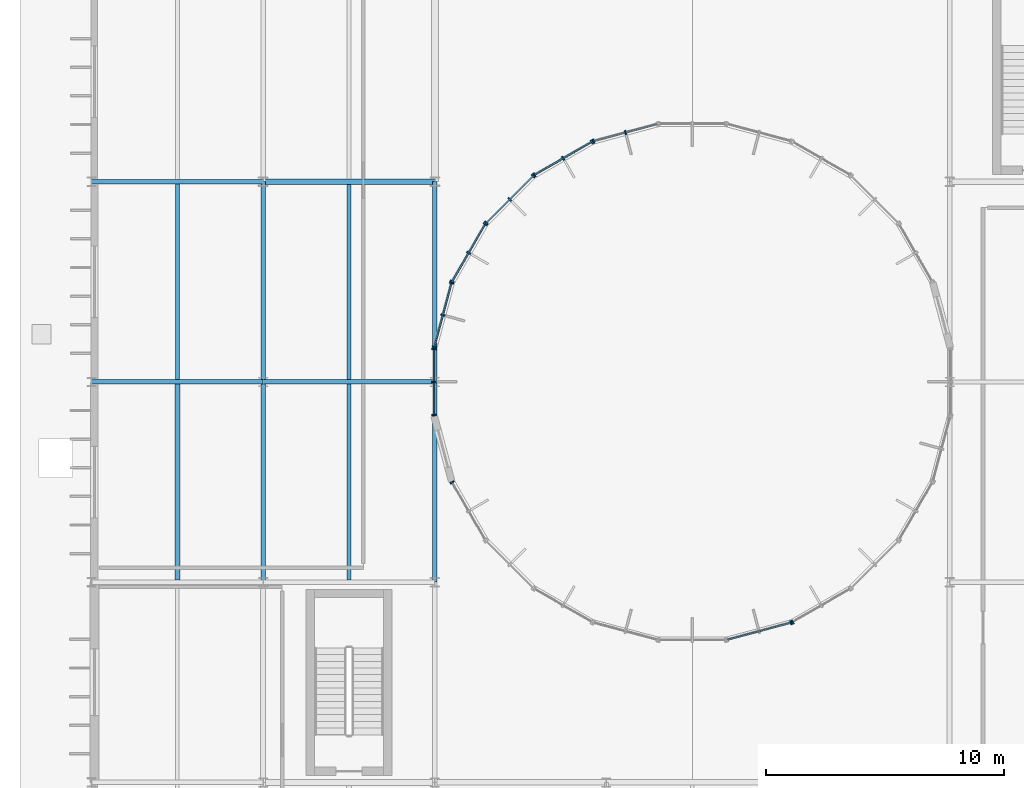
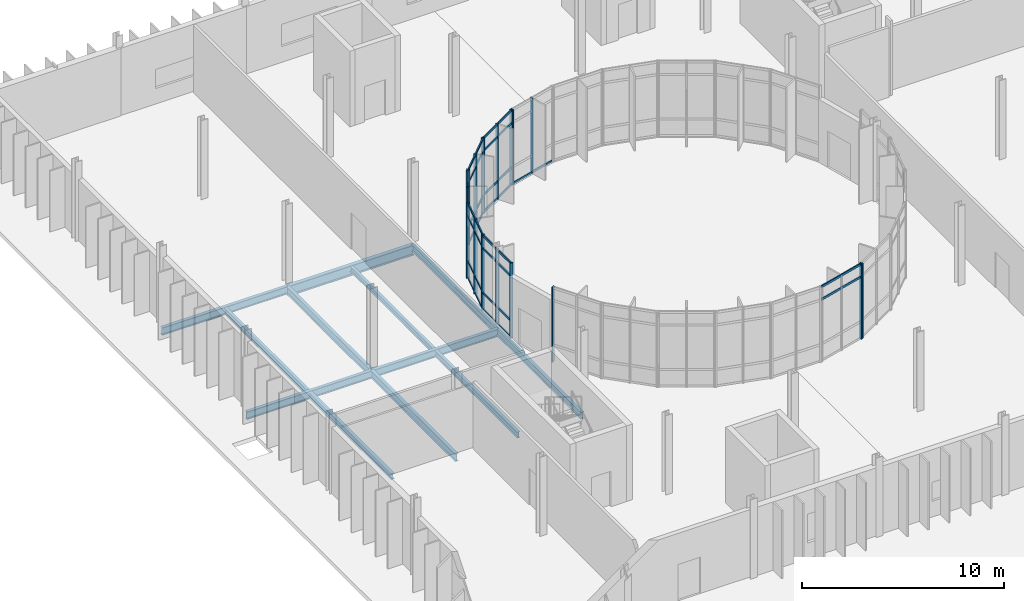
# One storey, part 40 of 118: 43 members, 12 beams, 9 elements without a shape of their own.
"""IFC4 building model written with IfcOpenShell, lengths in metres."""

from ifc_helpers import new_model, si_unit, direction, frame, origin, origin_2d, place, context, subcontext, project, spatial, rectangle, i_section, extrude, material, material_profile, profile_set, type_object, element, aggregate, save


model = new_model("IFC4")

# Units and contexts
model_context = context("Model", 3, precision=1e-05, world=origin(), true_north=direction((0.0, 1.0)))
body_context = subcontext(model_context, "Body", "Model", "MODEL_VIEW")
ifc_project = project(units=[si_unit("LENGTHUNIT", "METRE"), si_unit("AREAUNIT", "SQUARE_METRE"), si_unit("VOLUMEUNIT", "CUBIC_METRE"), si_unit("PLANEANGLEUNIT", "RADIAN"), si_unit("MASSUNIT", "GRAM", prefix="KILO")], contexts=[model_context])

# Site, building, storey
site_placement = place(None, origin())
site = spatial("IfcSite", under=ifc_project, at=site_placement, CompositionType="ELEMENT")
building_placement = place(site_placement, origin())
building = spatial("IfcBuilding", under=site, at=building_placement, Name="Qelthora Terrace Specialist Clinic", CompositionType="ELEMENT")
storey_placement = place(building_placement, origin())
storey = spatial("IfcBuildingStorey", under=building, at=storey_placement, Name="L00", CompositionType="ELEMENT", Elevation=0.0)

# Beams
ifc_material_1 = material(Name="Steel S355", Category="steel")
ifc_material_profile_1 = material_profile(ifc_material_1, i_section(OverallWidth=0.178955078125, OverallDepth=0.409912109375, WebThickness=0.0087890625, FlangeThickness=0.014404296875, FilletRadius=0.011962890625, at=origin_2d()), Name="W410X67")
ifc_profile_set_1 = profile_set([ifc_material_profile_1], Name="Steel S355")
beam_type_1 = type_object("IfcBeamType", Name="BM-W410X67", PredefinedType="BEAM", material=ifc_profile_set_1)
beam_1_placement = place(storey_placement, frame((14.39990234375, 84.0, -0.455078125), z_axis=(0.0, 1.0, 0.0), x_axis=(-1.0, 0.0, 0.0)))
element("IfcBeam", 1, at=beam_1_placement, inside=storey, type_object=beam_type_1, Name="Girder BMY-L00-0090", PredefinedType="BEAM", context=body_context, shape_type="SweptSolid", body=[
    extrude(i_section(OverallWidth=0.178955078125, OverallDepth=0.409912109375, WebThickness=0.0087890625, FlangeThickness=0.014404296875, FilletRadius=0.011962890625, at=origin_2d()), origin(), (0.0, 0.0, 1.0), 8.39990234375),
])
ifc_material_profile_2 = material_profile(ifc_material_1, i_section(OverallWidth=0.179931640625, OverallDepth=0.4130859375, WebThickness=0.009765625, FlangeThickness=0.01611328125, FilletRadius=0.011962890625, at=origin_2d()), Name="W410X75")
ifc_profile_set_2 = profile_set([ifc_material_profile_2], Name="Steel S355")
beam_type_2 = type_object("IfcBeamType", Name="BM-W410X75", PredefinedType="BEAM", material=ifc_profile_set_2)
beam_2_placement = place(storey_placement, frame((14.39990234375, 75.60009765625, -0.45654296875), z_axis=(0.0, 1.0, 0.0), x_axis=(-1.0, 0.0, 0.0)))
element("IfcBeam", 2, at=beam_2_placement, inside=storey, type_object=beam_type_2, Name="Girder BMY-L00-0089", PredefinedType="BEAM", context=body_context, shape_type="SweptSolid", body=[
    extrude(i_section(OverallWidth=0.179931640625, OverallDepth=0.4130859375, WebThickness=0.009765625, FlangeThickness=0.01611328125, FilletRadius=0.011962890625, at=origin_2d()), origin(), (0.0, 0.0, 1.0), 8.39990234375),
])
ifc_material_profile_3 = material_profile(ifc_material_1, i_section(OverallWidth=0.19091796875, OverallDepth=0.4599609375, WebThickness=0.010009765625, FlangeThickness=0.01611328125, FilletRadius=0.012939453125, at=origin_2d()), Name="W460X82")
ifc_profile_set_3 = profile_set([ifc_material_profile_3], Name="Steel S355")
beam_type_3 = type_object("IfcBeamType", Name="BM-W460X82", PredefinedType="BEAM", material=ifc_profile_set_3)
beam_3_placement = place(storey_placement, frame((7.199951171875, 84.0, -0.47998046875), z_axis=(1.0, 0.0, 0.0), x_axis=(0.0, 1.0, 0.0)))
element("IfcBeam", 3, at=beam_3_placement, inside=storey, type_object=beam_type_3, Name="Girder BMX-L00-0055", PredefinedType="BEAM", context=body_context, shape_type="SweptSolid", body=[
    extrude(i_section(OverallWidth=0.19091796875, OverallDepth=0.4599609375, WebThickness=0.010009765625, FlangeThickness=0.01611328125, FilletRadius=0.012939453125, at=origin_2d()), origin(), (0.0, 0.0, 1.0), 7.199951171875),
])
beam_4_placement = place(storey_placement, frame((7.199951171875, 84.0, -0.47998046875), z_axis=(0.0, 1.0, 0.0), x_axis=(-1.0, 0.0, 0.0)))
element("IfcBeam", 4, at=beam_4_placement, inside=storey, type_object=beam_type_3, Name="Girder BMY-L00-0078", PredefinedType="BEAM", context=body_context, shape_type="SweptSolid", body=[
    extrude(i_section(OverallWidth=0.19091796875, OverallDepth=0.4599609375, WebThickness=0.010009765625, FlangeThickness=0.01611328125, FilletRadius=0.012939453125, at=origin_2d()), origin(), (0.0, 0.0, 1.0), 8.39990234375),
])
ifc_material_profile_4 = material_profile(ifc_material_1, i_section(OverallWidth=0.193115234375, OverallDepth=0.466064453125, WebThickness=0.011474609375, FlangeThickness=0.01904296875, FilletRadius=0.012939453125, at=origin_2d()), Name="W460X97")
ifc_profile_set_4 = profile_set([ifc_material_profile_4], Name="Steel S355")
beam_type_4 = type_object("IfcBeamType", Name="BM-W460X97", PredefinedType="BEAM", material=ifc_profile_set_4)
beam_5_placement = place(storey_placement, frame((7.199951171875, 75.60009765625, -0.48291015625), z_axis=(0.0, 1.0, 0.0), x_axis=(-1.0, 0.0, 0.0)))
element("IfcBeam", 5, at=beam_5_placement, inside=storey, type_object=beam_type_4, Name="Girder BMY-L00-0077", PredefinedType="BEAM", context=body_context, shape_type="SweptSolid", body=[
    extrude(i_section(OverallWidth=0.193115234375, OverallDepth=0.466064453125, WebThickness=0.011474609375, FlangeThickness=0.01904296875, FilletRadius=0.012939453125, at=origin_2d()), origin(), (0.0, 0.0, 1.0), 8.39990234375),
])
ifc_material_profile_5 = material_profile(ifc_material_1, i_section(OverallWidth=0.22998046875, OverallDepth=0.616943359375, WebThickness=0.01318359375, FlangeThickness=0.022216796875, FilletRadius=0.01611328125, at=origin_2d()), Name="W610X140")
ifc_profile_set_5 = profile_set([ifc_material_profile_5], Name="Steel S355")
beam_type_5 = type_object("IfcBeamType", Name="BM-W610X140", PredefinedType="BEAM", material=ifc_profile_set_5)
beam_6_placement = place(storey_placement, frame((7.199951171875, 92.39990234375, -0.55859375), z_axis=(1.0, 0.0, 0.0), x_axis=(0.0, 1.0, 0.0)))
element("IfcBeam", 6, at=beam_6_placement, inside=storey, type_object=beam_type_5, Name="Girder BMX-L00-0059", PredefinedType="BEAM", context=body_context, shape_type="SweptSolid", body=[
    extrude(i_section(OverallWidth=0.22998046875, OverallDepth=0.616943359375, WebThickness=0.01318359375, FlangeThickness=0.022216796875, FilletRadius=0.01611328125, at=origin_2d()), origin(), (0.0, 0.0, 1.0), 7.199951171875),
])

# Curtain wall, members
ifc_material_2 = material(Name="Aluminium anodized bronze", Category="aluminium")
curtain_wall_type = type_object("IfcCurtainWallType", Name="CW-CRTW-L00", PredefinedType="NOTDEFINED", material=ifc_material_2)
curtain_wall_1_placement = place(storey_placement, origin())
curtain_wall_1 = element("IfcCurtainWall", 7, at=curtain_wall_1_placement, inside=storey, type_object=curtain_wall_type, Name="Curtain wall CW-CW-L00-07", PredefinedType="NOTDEFINED")
ifc_material_profile_6 = material_profile(ifc_material_2, rectangle(XDim=0.06494140625, YDim=0.179931640625, at=origin_2d()), Name="CWM65X180")
ifc_profile_set_6 = profile_set([ifc_material_profile_6], Name="Aluminium anodized bronze")
member_type_1 = type_object("IfcMemberType", Name="CWM-65X180", PredefinedType="MULLION", material=ifc_profile_set_6)
member_1_placement = place(storey_placement, frame((22.397705078125, 94.458740234375, 0.0), z_axis=(0.0, 0.0, 1.0), x_axis=(-0.96592547477, -0.258820356987, 0.0)))
member_1 = element("IfcMember", 8, at=member_1_placement, type_object=member_type_1, Name="CW-CW-L00-07 mullion 2", PredefinedType="MULLION", context=body_context, shape_type="SweptSolid", body=[
    extrude(rectangle(XDim=0.06494140625, YDim=0.179931640625, at=origin_2d()), origin(), (0.0, 0.0, 1.0), 4.544921875),
])
member_2_placement = place(storey_placement, frame((21.05517578125, 94.098876953125, 0.0), z_axis=(0.0, 0.0, 1.0), x_axis=(-0.96592547477, -0.258820356987, 0.0)))
member_2 = element("IfcMember", 9, at=member_2_placement, type_object=member_type_1, Name="CW-CW-L00-07 mullion 3", PredefinedType="MULLION", context=body_context, shape_type="SweptSolid", body=[
    extrude(rectangle(XDim=0.06494140625, YDim=0.179931640625, at=origin_2d()), origin(), (0.0, 0.0, 1.0), 4.544921875),
])

curtain_wall_2_placement = place(storey_placement, origin())
curtain_wall_2 = element("IfcCurtainWall", 10, at=curtain_wall_2_placement, inside=storey, type_object=curtain_wall_type, Name="Curtain wall CW-CW-L00-08", PredefinedType="NOTDEFINED")
member_3_placement = place(storey_placement, frame((20.98974609375, 94.07177734375, 0.0), z_axis=(0.0, 0.0, 1.0), x_axis=(-0.866025635896, -0.499999597971, 0.0)))
member_3 = element("IfcMember", 11, at=member_3_placement, type_object=member_type_1, Name="CW-CW-L00-08 mullion 1", PredefinedType="MULLION", context=body_context, shape_type="SweptSolid", body=[
    extrude(rectangle(XDim=0.06494140625, YDim=0.179931640625, at=origin_2d()), origin(), (0.0, 0.0, 1.0), 4.544921875),
])
member_4_placement = place(storey_placement, frame((19.7861328125, 93.376953125, 0.0), z_axis=(0.0, 0.0, 1.0), x_axis=(-0.866025635896, -0.499999597971, 0.0)))
member_4 = element("IfcMember", 12, at=member_4_placement, type_object=member_type_1, Name="CW-CW-L00-08 mullion 2", PredefinedType="MULLION", context=body_context, shape_type="SweptSolid", body=[
    extrude(rectangle(XDim=0.06494140625, YDim=0.179931640625, at=origin_2d()), origin(), (0.0, 0.0, 1.0), 4.544921875),
])
member_5_placement = place(storey_placement, frame((18.582763671875, 92.68212890625, 0.0), z_axis=(0.0, 0.0, 1.0), x_axis=(-0.866025635896, -0.499999597971, 0.0)))
member_5 = element("IfcMember", 13, at=member_5_placement, type_object=member_type_1, Name="CW-CW-L00-08 mullion 3", PredefinedType="MULLION", context=body_context, shape_type="SweptSolid", body=[
    extrude(rectangle(XDim=0.06494140625, YDim=0.179931640625, at=origin_2d()), origin(), (0.0, 0.0, 1.0), 4.544921875),
])

curtain_wall_3_placement = place(storey_placement, origin())
curtain_wall_3 = element("IfcCurtainWall", 14, at=curtain_wall_3_placement, inside=storey, type_object=curtain_wall_type, Name="Curtain wall CW-CW-L00-09", PredefinedType="NOTDEFINED")
member_6_placement = place(storey_placement, frame((18.5263671875, 92.638916015625, 0.0), z_axis=(0.0, 0.0, 1.0), x_axis=(-0.707106781187, -0.707106781187, 0.0)))
member_6 = element("IfcMember", 15, at=member_6_placement, type_object=member_type_1, Name="CW-CW-L00-09 mullion 1", PredefinedType="MULLION", context=body_context, shape_type="SweptSolid", body=[
    extrude(rectangle(XDim=0.06494140625, YDim=0.179931640625, at=origin_2d()), origin(), (0.0, 0.0, 1.0), 4.544921875),
])
member_7_placement = place(storey_placement, frame((17.543701171875, 91.65625, 0.0), z_axis=(0.0, 0.0, 1.0), x_axis=(-0.707106781187, -0.707106781187, 0.0)))
member_7 = element("IfcMember", 16, at=member_7_placement, type_object=member_type_1, Name="CW-CW-L00-09 mullion 2", PredefinedType="MULLION", context=body_context, shape_type="SweptSolid", body=[
    extrude(rectangle(XDim=0.06494140625, YDim=0.179931640625, at=origin_2d()), origin(), (0.0, 0.0, 1.0), 4.544921875),
])
member_8_placement = place(storey_placement, frame((16.56103515625, 90.673583984375, 0.0), z_axis=(0.0, 0.0, 1.0), x_axis=(-0.707106781187, -0.707106781187, 0.0)))
member_8 = element("IfcMember", 17, at=member_8_placement, type_object=member_type_1, Name="CW-CW-L00-09 mullion 3", PredefinedType="MULLION", context=body_context, shape_type="SweptSolid", body=[
    extrude(rectangle(XDim=0.06494140625, YDim=0.179931640625, at=origin_2d()), origin(), (0.0, 0.0, 1.0), 4.544921875),
])

curtain_wall_4_placement = place(storey_placement, origin())
curtain_wall_4 = element("IfcCurtainWall", 18, at=curtain_wall_4_placement, inside=storey, type_object=curtain_wall_type, Name="Curtain wall CW-CW-L00-10", PredefinedType="NOTDEFINED")
member_9_placement = place(storey_placement, frame((16.517822265625, 90.6171875, 0.0), z_axis=(0.0, 0.0, 1.0), x_axis=(-0.499999597971, -0.866025635896, 0.0)))
member_9 = element("IfcMember", 19, at=member_9_placement, type_object=member_type_1, Name="CW-CW-L00-10 mullion 1", PredefinedType="MULLION", context=body_context, shape_type="SweptSolid", body=[
    extrude(rectangle(XDim=0.06494140625, YDim=0.179931640625, at=origin_2d()), origin(), (0.0, 0.0, 1.0), 4.544921875),
])
member_10_placement = place(storey_placement, frame((15.822998046875, 89.413818359375, 0.0), z_axis=(0.0, 0.0, 1.0), x_axis=(-0.499999597971, -0.866025635896, 0.0)))
member_10 = element("IfcMember", 20, at=member_10_placement, type_object=member_type_1, Name="CW-CW-L00-10 mullion 2", PredefinedType="MULLION", context=body_context, shape_type="SweptSolid", body=[
    extrude(rectangle(XDim=0.06494140625, YDim=0.179931640625, at=origin_2d()), origin(), (0.0, 0.0, 1.0), 4.544921875),
])
member_11_placement = place(storey_placement, frame((15.128173828125, 88.210205078125, 0.0), z_axis=(0.0, 0.0, 1.0), x_axis=(-0.499999597971, -0.866025635896, 0.0)))
member_11 = element("IfcMember", 21, at=member_11_placement, type_object=member_type_1, Name="CW-CW-L00-10 mullion 3", PredefinedType="MULLION", context=body_context, shape_type="SweptSolid", body=[
    extrude(rectangle(XDim=0.06494140625, YDim=0.179931640625, at=origin_2d()), origin(), (0.0, 0.0, 1.0), 4.544921875),
])

curtain_wall_5_placement = place(storey_placement, origin())
curtain_wall_5 = element("IfcCurtainWall", 22, at=curtain_wall_5_placement, inside=storey, type_object=curtain_wall_type, Name="Curtain wall CW-CW-L00-11", PredefinedType="NOTDEFINED")
member_12_placement = place(storey_placement, frame((15.10107421875, 88.144775390625, 0.0), z_axis=(0.0, 0.0, 1.0), x_axis=(-0.258820356987, -0.96592547477, 0.0)))
member_12 = element("IfcMember", 23, at=member_12_placement, type_object=member_type_1, Name="CW-CW-L00-11 mullion 1", PredefinedType="MULLION", context=body_context, shape_type="SweptSolid", body=[
    extrude(rectangle(XDim=0.06494140625, YDim=0.179931640625, at=origin_2d()), origin(), (0.0, 0.0, 1.0), 4.544921875),
])
member_13_placement = place(storey_placement, frame((14.7412109375, 86.802490234375, 0.0), z_axis=(0.0, 0.0, 1.0), x_axis=(-0.258820356987, -0.96592547477, 0.0)))
member_13 = element("IfcMember", 24, at=member_13_placement, type_object=member_type_1, Name="CW-CW-L00-11 mullion 2", PredefinedType="MULLION", context=body_context, shape_type="SweptSolid", body=[
    extrude(rectangle(XDim=0.06494140625, YDim=0.179931640625, at=origin_2d()), origin(), (0.0, 0.0, 1.0), 4.544921875),
])
member_14_placement = place(storey_placement, frame((14.381591796875, 85.4599609375, 0.0), z_axis=(0.0, 0.0, 1.0), x_axis=(-0.258820356987, -0.96592547477, 0.0)))
member_14 = element("IfcMember", 25, at=member_14_placement, type_object=member_type_1, Name="CW-CW-L00-11 mullion 3", PredefinedType="MULLION", context=body_context, shape_type="SweptSolid", body=[
    extrude(rectangle(XDim=0.06494140625, YDim=0.179931640625, at=origin_2d()), origin(), (0.0, 0.0, 1.0), 4.544921875),
])

curtain_wall_6_placement = place(storey_placement, origin())
curtain_wall_6 = element("IfcCurtainWall", 26, at=curtain_wall_6_placement, inside=storey, type_object=curtain_wall_type, Name="Curtain wall CW-CW-L00-12", PredefinedType="NOTDEFINED")
member_15_placement = place(storey_placement, frame((14.372314453125, 85.3896484375, 0.0), z_axis=(0.0, 0.0, 1.0), x_axis=(0.0, -1.0, 0.0)))
member_15 = element("IfcMember", 27, at=member_15_placement, type_object=member_type_1, Name="CW-CW-L00-12 mullion 1", PredefinedType="MULLION", context=body_context, shape_type="SweptSolid", body=[
    extrude(rectangle(XDim=0.06494140625, YDim=0.179931640625, at=origin_2d()), origin(), (0.0, 0.0, 1.0), 4.544921875),
])
member_16_placement = place(storey_placement, frame((14.372314453125, 84.0, 0.0), z_axis=(0.0, 0.0, 1.0), x_axis=(0.0, -1.0, 0.0)))
member_16 = element("IfcMember", 28, at=member_16_placement, type_object=member_type_1, Name="CW-CW-L00-12 mullion 2", PredefinedType="MULLION", context=body_context, shape_type="SweptSolid", body=[
    extrude(rectangle(XDim=0.06494140625, YDim=0.179931640625, at=origin_2d()), origin(), (0.0, 0.0, 1.0), 4.544921875),
])
member_17_placement = place(storey_placement, frame((14.372314453125, 82.6103515625, 0.0), z_axis=(0.0, 0.0, 1.0), x_axis=(0.0, -1.0, 0.0)))
member_17 = element("IfcMember", 29, at=member_17_placement, type_object=member_type_1, Name="CW-CW-L00-12 mullion 3", PredefinedType="MULLION", context=body_context, shape_type="SweptSolid", body=[
    extrude(rectangle(XDim=0.06494140625, YDim=0.179931640625, at=origin_2d()), origin(), (0.0, 0.0, 1.0), 4.544921875),
])

# Curtain wall, member
curtain_wall_7_placement = place(storey_placement, origin())
curtain_wall_7 = element("IfcCurtainWall", 30, at=curtain_wall_7_placement, inside=storey, type_object=curtain_wall_type, Name="Curtain wall CW-CW-L00-14", PredefinedType="NOTDEFINED")
member_18_placement = place(storey_placement, frame((15.128173828125, 79.789794921875, 0.0), z_axis=(0.0, 0.0, 1.0), x_axis=(0.499999597971, -0.866025635896, 0.0)))
member_18 = element("IfcMember", 31, at=member_18_placement, type_object=member_type_1, Name="CW-CW-L00-14 mullion 1", PredefinedType="MULLION", context=body_context, shape_type="SweptSolid", body=[
    extrude(rectangle(XDim=0.06494140625, YDim=0.179931640625, at=origin_2d()), origin(), (0.0, 0.0, 1.0), 4.544921875),
])
aggregate(curtain_wall_7, [member_18])

curtain_wall_8_placement = place(storey_placement, origin())
curtain_wall_8 = element("IfcCurtainWall", 32, at=curtain_wall_8_placement, inside=storey, type_object=curtain_wall_type, Name="Curtain wall CW-CW-L00-19", PredefinedType="NOTDEFINED")
member_19_placement = place(storey_placement, frame((29.3447265625, 73.901123046875, 0.0), z_axis=(0.0, 0.0, 1.0), x_axis=(0.96592547477, 0.258820356987, 0.0)))
member_19 = element("IfcMember", 33, at=member_19_placement, type_object=member_type_1, Name="CW-CW-L00-19 mullion 3", PredefinedType="MULLION", context=body_context, shape_type="SweptSolid", body=[
    extrude(rectangle(XDim=0.06494140625, YDim=0.179931640625, at=origin_2d()), origin(), (0.0, 0.0, 1.0), 4.544921875),
])

curtain_wall_9_placement = place(storey_placement, origin())
curtain_wall_9 = element("IfcCurtainWall", 34, at=curtain_wall_9_placement, inside=storey, type_object=curtain_wall_type, Name="Curtain wall CW-CW-L00-20", PredefinedType="NOTDEFINED")
member_20_placement = place(storey_placement, frame((29.410400390625, 73.92822265625, 0.0), z_axis=(0.0, 0.0, 1.0), x_axis=(0.866025635896, 0.499999597971, 0.0)))
member_20 = element("IfcMember", 35, at=member_20_placement, type_object=member_type_1, Name="CW-CW-L00-20 mullion 1", PredefinedType="MULLION", context=body_context, shape_type="SweptSolid", body=[
    extrude(rectangle(XDim=0.06494140625, YDim=0.179931640625, at=origin_2d()), origin(), (0.0, 0.0, 1.0), 4.544921875),
])
aggregate(curtain_wall_9, [member_20])

# Member
ifc_material_profile_7 = material_profile(ifc_material_2, rectangle(XDim=0.06494140625, YDim=0.1298828125, at=origin_2d()), Name="CWT65X130")
ifc_profile_set_7 = profile_set([ifc_material_profile_7], Name="Aluminium anodized bronze")
member_type_2 = type_object("IfcMemberType", Name="CWT-65X130", PredefinedType="USERDEFINED", material=ifc_profile_set_7)
member_21_placement = place(storey_placement, frame((23.720703125, 94.813232421875, 0.0400390625), z_axis=(-0.965926569303, -0.258816272122, 0.0), x_axis=(0.258816272122, -0.965926569303, 0.0)))
member_21 = element("IfcMember", 36, at=member_21_placement, type_object=member_type_2, Name="CW-CW-L00-07 transom 1", ObjectType="TRANSOM", PredefinedType="USERDEFINED", context=body_context, shape_type="SweptSolid", body=[
    extrude(rectangle(XDim=0.06494140625, YDim=0.1298828125, at=origin_2d()), origin(), (0.0, 0.0, 1.0), 2.7392578125),
])

aggregate(curtain_wall_1, [member_1, member_2, member_21])

member_22_placement = place(storey_placement, frame((20.972412109375, 94.061767578125, 0.0400390625), z_axis=(-0.866029747927, -0.499992475648, 0.0), x_axis=(0.499992475648, -0.866029747927, 0.0)))
member_22 = element("IfcMember", 37, at=member_22_placement, type_object=member_type_2, Name="CW-CW-L00-08 transom 1", ObjectType="TRANSOM", PredefinedType="USERDEFINED", context=body_context, shape_type="SweptSolid", body=[
    extrude(rectangle(XDim=0.06494140625, YDim=0.1298828125, at=origin_2d()), origin(), (0.0, 0.0, 1.0), 2.7392578125),
])

member_23_placement = place(storey_placement, frame((20.972412109375, 94.061767578125, 1.050048828125), z_axis=(-0.866029747927, -0.499992475648, 0.0), x_axis=(0.499992475648, -0.866029747927, 0.0)))
member_23 = element("IfcMember", 38, at=member_23_placement, type_object=member_type_2, Name="CW-CW-L00-08 transom 2", ObjectType="TRANSOM", PredefinedType="USERDEFINED", context=body_context, shape_type="SweptSolid", body=[
    extrude(rectangle(XDim=0.06494140625, YDim=0.1298828125, at=origin_2d()), origin(), (0.0, 0.0, 1.0), 2.7392578125),
])

member_24_placement = place(storey_placement, frame((20.972412109375, 94.061767578125, 3.7451171875), z_axis=(-0.866029747927, -0.499992475648, 0.0), x_axis=(0.499992475648, -0.866029747927, 0.0)))
member_24 = element("IfcMember", 39, at=member_24_placement, type_object=member_type_2, Name="CW-CW-L00-08 transom 3", ObjectType="TRANSOM", PredefinedType="USERDEFINED", context=body_context, shape_type="SweptSolid", body=[
    extrude(rectangle(XDim=0.06494140625, YDim=0.1298828125, at=origin_2d()), origin(), (0.0, 0.0, 1.0), 2.7392578125),
])

member_25_placement = place(storey_placement, frame((20.972412109375, 94.061767578125, 4.5048828125), z_axis=(-0.866029747927, -0.499992475648, 0.0), x_axis=(0.499992475648, -0.866029747927, 0.0)))
member_25 = element("IfcMember", 40, at=member_25_placement, type_object=member_type_2, Name="CW-CW-L00-08 transom 4", ObjectType="TRANSOM", PredefinedType="USERDEFINED", context=body_context, shape_type="SweptSolid", body=[
    extrude(rectangle(XDim=0.06494140625, YDim=0.1298828125, at=origin_2d()), origin(), (0.0, 0.0, 1.0), 2.7392578125),
])

aggregate(curtain_wall_2, [member_3, member_4, member_5, member_22, member_23, member_24, member_25])

member_26_placement = place(storey_placement, frame((18.51220703125, 92.624755859375, 0.0400390625), z_axis=(-0.707106781187, -0.707106781187, 0.0), x_axis=(0.707106781187, -0.707106781187, 0.0)))
member_26 = element("IfcMember", 41, at=member_26_placement, type_object=member_type_2, Name="CW-CW-L00-09 transom 1", ObjectType="TRANSOM", PredefinedType="USERDEFINED", context=body_context, shape_type="SweptSolid", body=[
    extrude(rectangle(XDim=0.06494140625, YDim=0.1298828125, at=origin_2d()), origin(), (0.0, 0.0, 1.0), 2.7392578125),
])

member_27_placement = place(storey_placement, frame((18.51220703125, 92.624755859375, 1.050048828125), z_axis=(-0.707106781187, -0.707106781187, 0.0), x_axis=(0.707106781187, -0.707106781187, 0.0)))
member_27 = element("IfcMember", 42, at=member_27_placement, type_object=member_type_2, Name="CW-CW-L00-09 transom 2", ObjectType="TRANSOM", PredefinedType="USERDEFINED", context=body_context, shape_type="SweptSolid", body=[
    extrude(rectangle(XDim=0.06494140625, YDim=0.1298828125, at=origin_2d()), origin(), (0.0, 0.0, 1.0), 2.7392578125),
])

member_28_placement = place(storey_placement, frame((18.51220703125, 92.624755859375, 3.7451171875), z_axis=(-0.707106781187, -0.707106781187, 0.0), x_axis=(0.707106781187, -0.707106781187, 0.0)))
member_28 = element("IfcMember", 43, at=member_28_placement, type_object=member_type_2, Name="CW-CW-L00-09 transom 3", ObjectType="TRANSOM", PredefinedType="USERDEFINED", context=body_context, shape_type="SweptSolid", body=[
    extrude(rectangle(XDim=0.06494140625, YDim=0.1298828125, at=origin_2d()), origin(), (0.0, 0.0, 1.0), 2.7392578125),
])

member_29_placement = place(storey_placement, frame((18.51220703125, 92.624755859375, 4.5048828125), z_axis=(-0.707106781187, -0.707106781187, 0.0), x_axis=(0.707106781187, -0.707106781187, 0.0)))
member_29 = element("IfcMember", 44, at=member_29_placement, type_object=member_type_2, Name="CW-CW-L00-09 transom 4", ObjectType="TRANSOM", PredefinedType="USERDEFINED", context=body_context, shape_type="SweptSolid", body=[
    extrude(rectangle(XDim=0.06494140625, YDim=0.1298828125, at=origin_2d()), origin(), (0.0, 0.0, 1.0), 2.7392578125),
])

aggregate(curtain_wall_3, [member_6, member_7, member_8, member_26, member_27, member_28, member_29])

member_30_placement = place(storey_placement, frame((16.5078125, 90.60009765625, 0.0400390625), z_axis=(-0.499953886166, -0.866052025982, 0.0), x_axis=(0.866052025982, -0.499953886166, 0.0)))
member_30 = element("IfcMember", 45, at=member_30_placement, type_object=member_type_2, Name="CW-CW-L00-10 transom 1", ObjectType="TRANSOM", PredefinedType="USERDEFINED", context=body_context, shape_type="SweptSolid", body=[
    extrude(rectangle(XDim=0.06494140625, YDim=0.1298828125, at=origin_2d()), origin(), (0.0, 0.0, 1.0), 2.739501953125),
])

member_31_placement = place(storey_placement, frame((16.5078125, 90.60009765625, 1.050048828125), z_axis=(-0.499953886166, -0.866052025982, 0.0), x_axis=(0.866052025982, -0.499953886166, 0.0)))
member_31 = element("IfcMember", 46, at=member_31_placement, type_object=member_type_2, Name="CW-CW-L00-10 transom 2", ObjectType="TRANSOM", PredefinedType="USERDEFINED", context=body_context, shape_type="SweptSolid", body=[
    extrude(rectangle(XDim=0.06494140625, YDim=0.1298828125, at=origin_2d()), origin(), (0.0, 0.0, 1.0), 2.739501953125),
])

member_32_placement = place(storey_placement, frame((16.5078125, 90.60009765625, 3.7451171875), z_axis=(-0.499953886166, -0.866052025982, 0.0), x_axis=(0.866052025982, -0.499953886166, 0.0)))
member_32 = element("IfcMember", 47, at=member_32_placement, type_object=member_type_2, Name="CW-CW-L00-10 transom 3", ObjectType="TRANSOM", PredefinedType="USERDEFINED", context=body_context, shape_type="SweptSolid", body=[
    extrude(rectangle(XDim=0.06494140625, YDim=0.1298828125, at=origin_2d()), origin(), (0.0, 0.0, 1.0), 2.739501953125),
])

member_33_placement = place(storey_placement, frame((16.5078125, 90.60009765625, 4.5048828125), z_axis=(-0.499953886166, -0.866052025982, 0.0), x_axis=(0.866052025982, -0.499953886166, 0.0)))
member_33 = element("IfcMember", 48, at=member_33_placement, type_object=member_type_2, Name="CW-CW-L00-10 transom 4", ObjectType="TRANSOM", PredefinedType="USERDEFINED", context=body_context, shape_type="SweptSolid", body=[
    extrude(rectangle(XDim=0.06494140625, YDim=0.1298828125, at=origin_2d()), origin(), (0.0, 0.0, 1.0), 2.739501953125),
])

aggregate(curtain_wall_4, [member_9, member_10, member_11, member_30, member_31, member_32, member_33])

member_34_placement = place(storey_placement, frame((15.095947265625, 88.12548828125, 0.0400390625), z_axis=(-0.258899423253, -0.965904285444, 0.0), x_axis=(0.965904285444, -0.258899423253, 0.0)))
member_34 = element("IfcMember", 49, at=member_34_placement, type_object=member_type_2, Name="CW-CW-L00-11 transom 1", ObjectType="TRANSOM", PredefinedType="USERDEFINED", context=body_context, shape_type="SweptSolid", body=[
    extrude(rectangle(XDim=0.06494140625, YDim=0.1298828125, at=origin_2d()), origin(), (0.0, 0.0, 1.0), 2.739501953125),
])

member_35_placement = place(storey_placement, frame((15.095947265625, 88.12548828125, 1.050048828125), z_axis=(-0.258899423253, -0.965904285444, 0.0), x_axis=(0.965904285444, -0.258899423253, 0.0)))
member_35 = element("IfcMember", 50, at=member_35_placement, type_object=member_type_2, Name="CW-CW-L00-11 transom 2", ObjectType="TRANSOM", PredefinedType="USERDEFINED", context=body_context, shape_type="SweptSolid", body=[
    extrude(rectangle(XDim=0.06494140625, YDim=0.1298828125, at=origin_2d()), origin(), (0.0, 0.0, 1.0), 2.739501953125),
])

member_36_placement = place(storey_placement, frame((15.095947265625, 88.12548828125, 3.7451171875), z_axis=(-0.258899423253, -0.965904285444, 0.0), x_axis=(0.965904285444, -0.258899423253, 0.0)))
member_36 = element("IfcMember", 51, at=member_36_placement, type_object=member_type_2, Name="CW-CW-L00-11 transom 3", ObjectType="TRANSOM", PredefinedType="USERDEFINED", context=body_context, shape_type="SweptSolid", body=[
    extrude(rectangle(XDim=0.06494140625, YDim=0.1298828125, at=origin_2d()), origin(), (0.0, 0.0, 1.0), 2.739501953125),
])

member_37_placement = place(storey_placement, frame((15.095947265625, 88.12548828125, 4.5048828125), z_axis=(-0.258899423253, -0.965904285444, 0.0), x_axis=(0.965904285444, -0.258899423253, 0.0)))
member_37 = element("IfcMember", 52, at=member_37_placement, type_object=member_type_2, Name="CW-CW-L00-11 transom 4", ObjectType="TRANSOM", PredefinedType="USERDEFINED", context=body_context, shape_type="SweptSolid", body=[
    extrude(rectangle(XDim=0.06494140625, YDim=0.1298828125, at=origin_2d()), origin(), (0.0, 0.0, 1.0), 2.739501953125),
])

aggregate(curtain_wall_5, [member_12, member_13, member_14, member_34, member_35, member_36, member_37])

member_38_placement = place(storey_placement, frame((14.372314453125, 85.36962890625, 0.0400390625), z_axis=(0.0, -1.0, 0.0), x_axis=(1.0, 0.0, 0.0)))
member_38 = element("IfcMember", 53, at=member_38_placement, type_object=member_type_2, Name="CW-CW-L00-12 transom 1", ObjectType="TRANSOM", PredefinedType="USERDEFINED", context=body_context, shape_type="SweptSolid", body=[
    extrude(rectangle(XDim=0.06494140625, YDim=0.1298828125, at=origin_2d()), origin(), (0.0, 0.0, 1.0), 2.7392578125),
])

member_39_placement = place(storey_placement, frame((14.372314453125, 85.36962890625, 1.050048828125), z_axis=(0.0, -1.0, 0.0), x_axis=(1.0, 0.0, 0.0)))
member_39 = element("IfcMember", 54, at=member_39_placement, type_object=member_type_2, Name="CW-CW-L00-12 transom 2", ObjectType="TRANSOM", PredefinedType="USERDEFINED", context=body_context, shape_type="SweptSolid", body=[
    extrude(rectangle(XDim=0.06494140625, YDim=0.1298828125, at=origin_2d()), origin(), (0.0, 0.0, 1.0), 2.7392578125),
])

member_40_placement = place(storey_placement, frame((14.372314453125, 85.36962890625, 3.7451171875), z_axis=(0.0, -1.0, 0.0), x_axis=(1.0, 0.0, 0.0)))
member_40 = element("IfcMember", 55, at=member_40_placement, type_object=member_type_2, Name="CW-CW-L00-12 transom 3", ObjectType="TRANSOM", PredefinedType="USERDEFINED", context=body_context, shape_type="SweptSolid", body=[
    extrude(rectangle(XDim=0.06494140625, YDim=0.1298828125, at=origin_2d()), origin(), (0.0, 0.0, 1.0), 2.7392578125),
])

member_41_placement = place(storey_placement, frame((14.372314453125, 85.36962890625, 4.5048828125), z_axis=(0.0, -1.0, 0.0), x_axis=(1.0, 0.0, 0.0)))
member_41 = element("IfcMember", 56, at=member_41_placement, type_object=member_type_2, Name="CW-CW-L00-12 transom 4", ObjectType="TRANSOM", PredefinedType="USERDEFINED", context=body_context, shape_type="SweptSolid", body=[
    extrude(rectangle(XDim=0.06494140625, YDim=0.1298828125, at=origin_2d()), origin(), (0.0, 0.0, 1.0), 2.7392578125),
])

aggregate(curtain_wall_6, [member_15, member_16, member_17, member_38, member_39, member_40, member_41])

member_42_placement = place(storey_placement, frame((26.679443359375, 73.186767578125, 3.7451171875), z_axis=(0.965926569303, 0.258816272122, 0.0), x_axis=(-0.258816272122, 0.965926569303, 0.0)))
member_42 = element("IfcMember", 57, at=member_42_placement, type_object=member_type_2, Name="CW-CW-L00-19 transom 3", ObjectType="TRANSOM", PredefinedType="USERDEFINED", context=body_context, shape_type="SweptSolid", body=[
    extrude(rectangle(XDim=0.06494140625, YDim=0.1298828125, at=origin_2d()), origin(), (0.0, 0.0, 1.0), 2.7392578125),
])

member_43_placement = place(storey_placement, frame((26.679443359375, 73.186767578125, 4.5048828125), z_axis=(0.965926569303, 0.258816272122, 0.0), x_axis=(-0.258816272122, 0.965926569303, 0.0)))
member_43 = element("IfcMember", 58, at=member_43_placement, type_object=member_type_2, Name="CW-CW-L00-19 transom 4", ObjectType="TRANSOM", PredefinedType="USERDEFINED", context=body_context, shape_type="SweptSolid", body=[
    extrude(rectangle(XDim=0.06494140625, YDim=0.1298828125, at=origin_2d()), origin(), (0.0, 0.0, 1.0), 2.7392578125),
])

aggregate(curtain_wall_8, [member_19, member_42, member_43])

# Beams
ifc_material_profile_8 = material_profile(ifc_material_1, i_section(OverallWidth=0.1669921875, OverallDepth=0.31689453125, WebThickness=0.007568359375, FlangeThickness=0.01318359375, FilletRadius=0.010009765625, at=origin_2d()), Name="W310X52")
ifc_profile_set_8 = profile_set([ifc_material_profile_8], Name="Steel S355")
beam_type_6 = type_object("IfcBeamType", Name="JST-W310X52", PredefinedType="JOIST", material=ifc_profile_set_8)
beam_7_placement = place(storey_placement, frame((10.800048828125, 84.095458984375, -0.408447265625), z_axis=(0.0, 1.0, 0.0), x_axis=(-1.0, 0.0, 0.0)))
element("IfcBeam", 59, at=beam_7_placement, inside=storey, type_object=beam_type_6, Name="Composite floor joist JST-L00-0015", PredefinedType="JOIST", context=body_context, shape_type="SweptSolid", body=[
    extrude(i_section(OverallWidth=0.1669921875, OverallDepth=0.31689453125, WebThickness=0.007568359375, FlangeThickness=0.01318359375, FilletRadius=0.010009765625, at=origin_2d()), origin(), (0.0, 0.0, 1.0), 8.189453125),
])
ifc_material_profile_9 = material_profile(ifc_material_1, i_section(OverallWidth=0.172119140625, OverallDepth=0.35791015625, WebThickness=0.0078125, FlangeThickness=0.01318359375, FilletRadius=0.010986328125, at=origin_2d()), Name="W360X57")
ifc_profile_set_9 = profile_set([ifc_material_profile_9], Name="Steel S355")
beam_type_7 = type_object("IfcBeamType", Name="JST-W360X57", PredefinedType="JOIST", material=ifc_profile_set_9)
beam_8_placement = place(storey_placement, frame((3.60009765625, 84.095458984375, -0.428955078125), z_axis=(0.0, 1.0, 0.0), x_axis=(-1.0, 0.0, 0.0)))
element("IfcBeam", 60, at=beam_8_placement, inside=storey, type_object=beam_type_7, Name="Composite floor joist JST-L00-0008", PredefinedType="JOIST", context=body_context, shape_type="SweptSolid", body=[
    extrude(i_section(OverallWidth=0.172119140625, OverallDepth=0.35791015625, WebThickness=0.0078125, FlangeThickness=0.01318359375, FilletRadius=0.010986328125, at=origin_2d()), origin(), (0.0, 0.0, 1.0), 8.208984375),
])
beam_9_placement = place(storey_placement, frame((10.800048828125, 75.68994140625, -0.428955078125), z_axis=(0.0, 1.0, 0.0), x_axis=(-1.0, 0.0, 0.0)))
element("IfcBeam", 61, at=beam_9_placement, inside=storey, type_object=beam_type_7, Name="Composite floor joist JST-L00-0014", PredefinedType="JOIST", context=body_context, shape_type="SweptSolid", body=[
    extrude(i_section(OverallWidth=0.172119140625, OverallDepth=0.35791015625, WebThickness=0.0078125, FlangeThickness=0.01318359375, FilletRadius=0.010986328125, at=origin_2d()), origin(), (0.0, 0.0, 1.0), 8.214599609375),
])
ifc_material_profile_10 = material_profile(ifc_material_1, i_section(OverallWidth=0.202880859375, OverallDepth=0.346923828125, WebThickness=0.0078125, FlangeThickness=0.013427734375, FilletRadius=0.010986328125, at=origin_2d()), Name="W360X64")
ifc_profile_set_10 = profile_set([ifc_material_profile_10], Name="Steel S355")
beam_type_8 = type_object("IfcBeamType", Name="JST-W360X64", PredefinedType="JOIST", material=ifc_profile_set_10)
beam_10_placement = place(storey_placement, frame((3.60009765625, 75.695556640625, -0.423583984375), z_axis=(0.0, 1.0, 0.0), x_axis=(-1.0, 0.0, 0.0)))
element("IfcBeam", 62, at=beam_10_placement, inside=storey, type_object=beam_type_8, Name="Composite floor joist JST-L00-0007", PredefinedType="JOIST", context=body_context, shape_type="SweptSolid", body=[
    extrude(i_section(OverallWidth=0.202880859375, OverallDepth=0.346923828125, WebThickness=0.0078125, FlangeThickness=0.013427734375, FilletRadius=0.010986328125, at=origin_2d()), origin(), (0.0, 0.0, 1.0), 8.208984375),
])
ifc_material_profile_11 = material_profile(ifc_material_1, i_section(OverallWidth=0.19091796875, OverallDepth=0.4599609375, WebThickness=0.010009765625, FlangeThickness=0.01611328125, FilletRadius=0.012939453125, at=origin_2d()), Name="W460X82")
ifc_profile_set_11 = profile_set([ifc_material_profile_11], Name="Steel S355")
beam_type_9 = type_object("IfcBeamType", Name="SPD-W460X82", PredefinedType="SPANDREL", material=ifc_profile_set_11)
for number, where, z_axis, x_axis, name in (
    (63, (0.0, 84.0, -0.47998046875), (1.0, 0.0, 0.0), (0.0, 1.0, 0.0), "Girder BMX-L00-0054"),
    (64, (0.0, 92.39990234375, -0.47998046875), (1.0, 0.0, 0.0), (0.0, 1.0, 0.0), "Girder BMX-L00-0058"),
):
    element("IfcBeam", number, at=place(storey_placement, frame(where, z_axis=z_axis, x_axis=x_axis)), inside=storey, type_object=beam_type_9, Name=name, PredefinedType="SPANDREL", context=body_context, shape_type="SweptSolid", body=[
        extrude(i_section(OverallWidth=0.19091796875, OverallDepth=0.4599609375, WebThickness=0.010009765625, FlangeThickness=0.01611328125, FilletRadius=0.012939453125, at=origin_2d()), origin(), (0.0, 0.0, 1.0), 7.199951171875),
    ])

save(model, "model.ifc")
